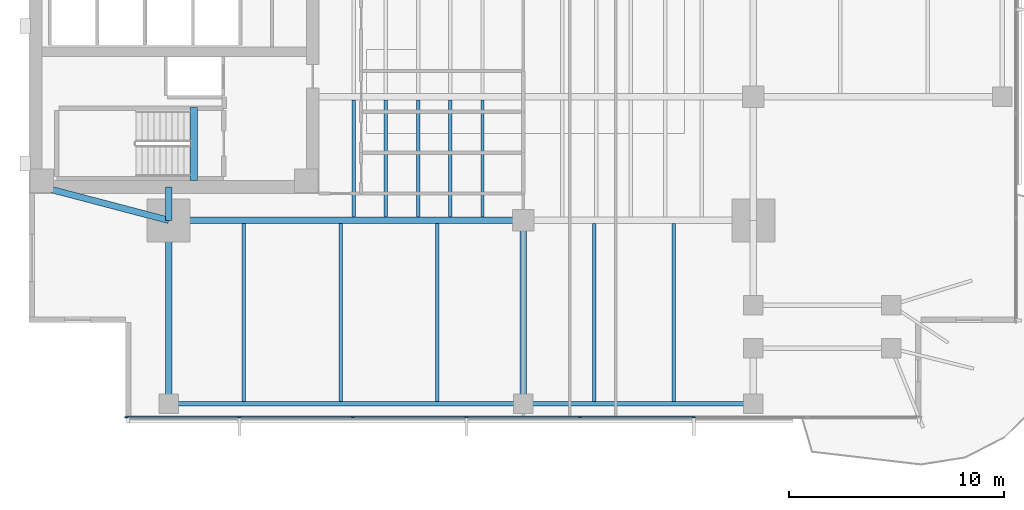
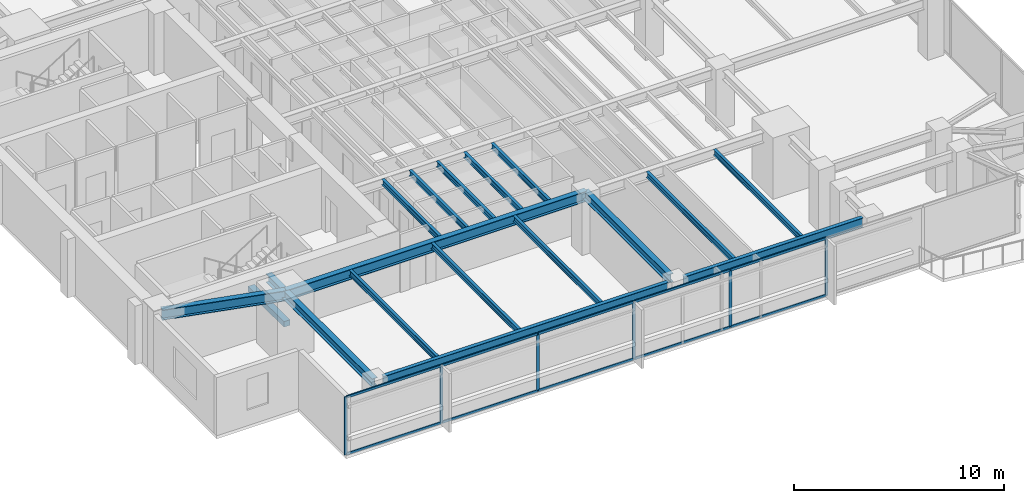
# One storey, part 2 of 14: 18 beams, 16 members, 1 element without a shape of its own.
"""IFC4 building model written with IfcOpenShell, lengths in metres."""

from ifc_helpers import new_model, si_unit, direction, frame, origin, origin_2d, place, context, subcontext, project, spatial, rectangle, i_section, extrude, material, layer, layer_set, material_profile, profile_set, type_object, element, aggregate, save


model = new_model("IFC4")

# Units and contexts
model_context = context("Model", 3, precision=1e-05, world=origin(), true_north=direction((0.0, 1.0)))
body_context = subcontext(model_context, "Body", "Model", "MODEL_VIEW")
ifc_project = project(units=[si_unit("LENGTHUNIT", "METRE"), si_unit("AREAUNIT", "SQUARE_METRE"), si_unit("VOLUMEUNIT", "CUBIC_METRE"), si_unit("PLANEANGLEUNIT", "RADIAN"), si_unit("MASSUNIT", "GRAM", prefix="KILO")], contexts=[model_context])

# Site, building, storey
site_placement = place(None, origin())
site = spatial("IfcSite", under=ifc_project, at=site_placement, CompositionType="ELEMENT")
building_placement = place(site_placement, origin())
building = spatial("IfcBuilding", under=site, at=building_placement, Name="Kinhvarn Gate Tower", CompositionType="ELEMENT")
storey_placement = place(building_placement, frame((0.0, 0.0, 159.050048828125)))
storey = spatial("IfcBuildingStorey", under=building, at=storey_placement, Name="L42", CompositionType="ELEMENT", Elevation=159.050048828125)

# Beam
ifc_material_1 = material(Name="Concrete C50/60", Category="concrete")
ifc_material_profile_1 = material_profile(ifc_material_1, rectangle(XDim=0.340087890625, YDim=0.320068359375, at=origin_2d()), Name="RC 340x320")
ifc_profile_set_1 = profile_set([ifc_material_profile_1], Name="Concrete C50/60")
beam_type_1 = type_object("IfcBeamType", Name="BM-LND-500", PredefinedType="BEAM", material=ifc_profile_set_1)
beam_1_placement = place(storey_placement, frame((12.1650390625, 14.60009765625, -0.16015625), z_axis=(0.0, 1.0, 0.0), x_axis=(-1.0, 0.0, 0.0)))
element("IfcBeam", 1, at=beam_1_placement, inside=storey, type_object=beam_type_1, Name="Stair ST1 Landing Nosing Beam (L42)", PredefinedType="BEAM", context=body_context, shape_type="SweptSolid", body=[
    extrude(rectangle(XDim=0.340087890625, YDim=0.320068359375, at=origin_2d()), origin(), (0.0, 0.0, 1.0), 3.39990234375),
])

# Curtain wall, members
ifc_material_2 = material(Name="Anodised aluminium AW-6063", Category="aluminium")
ifc_layer = layer(ifc_material_2, 0.179931640625)
ifc_layer_set = layer_set([ifc_layer], Name="Anodised aluminium AW-6063")
curtain_wall_type = type_object("IfcCurtainWallType", Name="CW-SYS-3", PredefinedType="NOTDEFINED", material=ifc_layer_set)
curtain_wall_placement = place(storey_placement, origin())
curtain_wall = element("IfcCurtainWall", 2, at=curtain_wall_placement, inside=storey, type_object=curtain_wall_type, Name="Curtain Wall CW3 (L42)", PredefinedType="NOTDEFINED")
ifc_material_profile_2 = material_profile(ifc_material_2, rectangle(XDim=0.06494140625, YDim=0.159912109375, at=origin_2d()), Name="ALU 65x160")
ifc_profile_set_2 = profile_set([ifc_material_profile_2], Name="Anodised aluminium AW-6063")
member_type_1 = type_object("IfcMemberType", Name="CW-MUL-160", PredefinedType="MULLION", material=ifc_profile_set_2)
member_1_placement = place(storey_placement, frame((9.032470703125, 3.590087890625, 0.0), z_axis=(0.0, 0.0, 1.0), x_axis=(0.0, 1.0, 0.0)))
member_1 = element("IfcMember", 3, at=member_1_placement, type_object=member_type_1, Name="CW3 mullion 1", PredefinedType="MULLION", context=body_context, shape_type="SweptSolid", body=[
    extrude(rectangle(XDim=0.06494140625, YDim=0.159912109375, at=origin_2d()), origin(), (0.0, 0.0, 1.0), 3.369873046875),
])
member_2_placement = place(storey_placement, frame((14.28564453125, 3.590087890625, 0.0), z_axis=(0.0, 0.0, 1.0), x_axis=(0.0, 1.0, 0.0)))
member_2 = element("IfcMember", 4, at=member_2_placement, type_object=member_type_1, Name="CW3 mullion 2", PredefinedType="MULLION", context=body_context, shape_type="SweptSolid", body=[
    extrude(rectangle(XDim=0.06494140625, YDim=0.159912109375, at=origin_2d()), origin(), (0.0, 0.0, 1.0), 3.369873046875),
])
member_3_placement = place(storey_placement, frame((19.571533203125, 3.590087890625, 0.0), z_axis=(0.0, 0.0, 1.0), x_axis=(0.0, 1.0, 0.0)))
member_3 = element("IfcMember", 5, at=member_3_placement, type_object=member_type_1, Name="CW3 mullion 3", PredefinedType="MULLION", context=body_context, shape_type="SweptSolid", body=[
    extrude(rectangle(XDim=0.06494140625, YDim=0.159912109375, at=origin_2d()), origin(), (0.0, 0.0, 1.0), 3.369873046875),
])
member_4_placement = place(storey_placement, frame((24.857177734375, 3.590087890625, 0.0), z_axis=(0.0, 0.0, 1.0), x_axis=(0.0, 1.0, 0.0)))
member_4 = element("IfcMember", 6, at=member_4_placement, type_object=member_type_1, Name="CW3 mullion 4", PredefinedType="MULLION", context=body_context, shape_type="SweptSolid", body=[
    extrude(rectangle(XDim=0.06494140625, YDim=0.159912109375, at=origin_2d()), origin(), (0.0, 0.0, 1.0), 3.369873046875),
])
member_5_placement = place(storey_placement, frame((30.142822265625, 3.590087890625, 0.0), z_axis=(0.0, 0.0, 1.0), x_axis=(0.0, 1.0, 0.0)))
member_5 = element("IfcMember", 7, at=member_5_placement, type_object=member_type_1, Name="CW3 mullion 5", PredefinedType="MULLION", context=body_context, shape_type="SweptSolid", body=[
    extrude(rectangle(XDim=0.06494140625, YDim=0.159912109375, at=origin_2d()), origin(), (0.0, 0.0, 1.0), 3.369873046875),
])
member_6_placement = place(storey_placement, frame((35.428466796875, 3.590087890625, 0.0), z_axis=(0.0, 0.0, 1.0), x_axis=(0.0, 1.0, 0.0)))
member_6 = element("IfcMember", 8, at=member_6_placement, type_object=member_type_1, Name="CW3 mullion 6", PredefinedType="MULLION", context=body_context, shape_type="SweptSolid", body=[
    extrude(rectangle(XDim=0.06494140625, YDim=0.159912109375, at=origin_2d()), origin(), (0.0, 0.0, 1.0), 3.369873046875),
])
ifc_material_profile_3 = material_profile(ifc_material_2, rectangle(XDim=0.070068359375, YDim=0.139892578125, at=origin_2d()), Name="ALU 70x140")
ifc_profile_set_3 = profile_set([ifc_material_profile_3], Name="Anodised aluminium AW-6063")
member_type_2 = type_object("IfcMemberType", Name="CW-TRN-140", PredefinedType="USERDEFINED", material=ifc_profile_set_3)
member_7_placement = place(storey_placement, frame((9.06494140625, 3.590087890625, 0.034912109375), z_axis=(1.0, 0.0, 0.0), x_axis=(0.0, 1.0, 0.0)))
member_7 = element("IfcMember", 9, at=member_7_placement, type_object=member_type_2, Name="CW3 transom 1.1", ObjectType="TRANSOM", PredefinedType="USERDEFINED", context=body_context, shape_type="SweptSolid", body=[
    extrude(rectangle(XDim=0.070068359375, YDim=0.139892578125, at=origin_2d()), origin(), (0.0, 0.0, 1.0), 5.188232421875),
])
member_8_placement = place(storey_placement, frame((9.06494140625, 3.590087890625, 3.3349609375), z_axis=(1.0, 0.0, 0.0), x_axis=(0.0, 1.0, 0.0)))
member_8 = element("IfcMember", 10, at=member_8_placement, type_object=member_type_2, Name="CW3 transom 1.2", ObjectType="TRANSOM", PredefinedType="USERDEFINED", context=body_context, shape_type="SweptSolid", body=[
    extrude(rectangle(XDim=0.070068359375, YDim=0.139892578125, at=origin_2d()), origin(), (0.0, 0.0, 1.0), 5.188232421875),
])
member_9_placement = place(storey_placement, frame((14.318115234375, 3.590087890625, 0.034912109375), z_axis=(1.0, 0.0, 0.0), x_axis=(0.0, 1.0, 0.0)))
member_9 = element("IfcMember", 11, at=member_9_placement, type_object=member_type_2, Name="CW3 transom 2.1", ObjectType="TRANSOM", PredefinedType="USERDEFINED", context=body_context, shape_type="SweptSolid", body=[
    extrude(rectangle(XDim=0.070068359375, YDim=0.139892578125, at=origin_2d()), origin(), (0.0, 0.0, 1.0), 5.220703125),
])
member_10_placement = place(storey_placement, frame((14.318115234375, 3.590087890625, 3.3349609375), z_axis=(1.0, 0.0, 0.0), x_axis=(0.0, 1.0, 0.0)))
member_10 = element("IfcMember", 12, at=member_10_placement, type_object=member_type_2, Name="CW3 transom 2.2", ObjectType="TRANSOM", PredefinedType="USERDEFINED", context=body_context, shape_type="SweptSolid", body=[
    extrude(rectangle(XDim=0.070068359375, YDim=0.139892578125, at=origin_2d()), origin(), (0.0, 0.0, 1.0), 5.220703125),
])
member_11_placement = place(storey_placement, frame((19.60400390625, 3.590087890625, 0.034912109375), z_axis=(1.0, 0.0, 0.0), x_axis=(0.0, 1.0, 0.0)))
member_11 = element("IfcMember", 13, at=member_11_placement, type_object=member_type_2, Name="CW3 transom 3.1", ObjectType="TRANSOM", PredefinedType="USERDEFINED", context=body_context, shape_type="SweptSolid", body=[
    extrude(rectangle(XDim=0.070068359375, YDim=0.139892578125, at=origin_2d()), origin(), (0.0, 0.0, 1.0), 5.220703125),
])
member_12_placement = place(storey_placement, frame((19.60400390625, 3.590087890625, 3.3349609375), z_axis=(1.0, 0.0, 0.0), x_axis=(0.0, 1.0, 0.0)))
member_12 = element("IfcMember", 14, at=member_12_placement, type_object=member_type_2, Name="CW3 transom 3.2", ObjectType="TRANSOM", PredefinedType="USERDEFINED", context=body_context, shape_type="SweptSolid", body=[
    extrude(rectangle(XDim=0.070068359375, YDim=0.139892578125, at=origin_2d()), origin(), (0.0, 0.0, 1.0), 5.220703125),
])
member_13_placement = place(storey_placement, frame((24.8896484375, 3.590087890625, 0.034912109375), z_axis=(1.0, 0.0, 0.0), x_axis=(0.0, 1.0, 0.0)))
member_13 = element("IfcMember", 15, at=member_13_placement, type_object=member_type_2, Name="CW3 transom 4.1", ObjectType="TRANSOM", PredefinedType="USERDEFINED", context=body_context, shape_type="SweptSolid", body=[
    extrude(rectangle(XDim=0.070068359375, YDim=0.139892578125, at=origin_2d()), origin(), (0.0, 0.0, 1.0), 5.220703125),
])
member_14_placement = place(storey_placement, frame((24.8896484375, 3.590087890625, 3.3349609375), z_axis=(1.0, 0.0, 0.0), x_axis=(0.0, 1.0, 0.0)))
member_14 = element("IfcMember", 16, at=member_14_placement, type_object=member_type_2, Name="CW3 transom 4.2", ObjectType="TRANSOM", PredefinedType="USERDEFINED", context=body_context, shape_type="SweptSolid", body=[
    extrude(rectangle(XDim=0.070068359375, YDim=0.139892578125, at=origin_2d()), origin(), (0.0, 0.0, 1.0), 5.220703125),
])
member_15_placement = place(storey_placement, frame((30.17529296875, 3.590087890625, 0.034912109375), z_axis=(1.0, 0.0, 0.0), x_axis=(0.0, 1.0, 0.0)))
member_15 = element("IfcMember", 17, at=member_15_placement, type_object=member_type_2, Name="CW3 transom 5.1", ObjectType="TRANSOM", PredefinedType="USERDEFINED", context=body_context, shape_type="SweptSolid", body=[
    extrude(rectangle(XDim=0.070068359375, YDim=0.139892578125, at=origin_2d()), origin(), (0.0, 0.0, 1.0), 5.220703125),
])
member_16_placement = place(storey_placement, frame((30.17529296875, 3.590087890625, 3.3349609375), z_axis=(1.0, 0.0, 0.0), x_axis=(0.0, 1.0, 0.0)))
member_16 = element("IfcMember", 18, at=member_16_placement, type_object=member_type_2, Name="CW3 transom 5.2", ObjectType="TRANSOM", PredefinedType="USERDEFINED", context=body_context, shape_type="SweptSolid", body=[
    extrude(rectangle(XDim=0.070068359375, YDim=0.139892578125, at=origin_2d()), origin(), (0.0, 0.0, 1.0), 5.220703125),
])
aggregate(curtain_wall, [member_1, member_2, member_3, member_4, member_5, member_6, member_7, member_8, member_9, member_10, member_11, member_12, member_13, member_14, member_15, member_16])

# Beams
ifc_material_3 = material(Name="Steel S355", Category="steel")
ifc_material_profile_4 = material_profile(ifc_material_3, i_section(OverallWidth=0.300048828125, OverallDepth=0.5, WebThickness=0.014404296875, FlangeThickness=0.028076171875, at=origin_2d()), Name="HEB 500")
ifc_profile_set_4 = profile_set([ifc_material_profile_4], Name="Steel S355")
beam_type_2 = type_object("IfcBeamType", Name="STL-HEB500", PredefinedType="BEAM", material=ifc_profile_set_4)
beam_2_placement = place(storey_placement, frame((11.0, 4.219970703125, 3.119873046875), z_axis=(0.0, 1.0, 0.0), x_axis=(-1.0, 0.0, 0.0)))
element("IfcBeam", 19, at=beam_2_placement, inside=storey, type_object=beam_type_2, Name="Floor Beam PG-14 (L42 MCW-S)", PredefinedType="BEAM", context=body_context, shape_type="SweptSolid", body=[
    extrude(i_section(OverallWidth=0.300048828125, OverallDepth=0.5, WebThickness=0.014404296875, FlangeThickness=0.028076171875, at=origin_2d()), origin(), (0.0, 0.0, 1.0), 8.530029296875),
])
beam_3_placement = place(storey_placement, frame((11.0, 12.75, 3.119873046875), z_axis=(0.0, 1.0, 0.0), x_axis=(-1.0, 0.0, 0.0)))
element("IfcBeam", 20, at=beam_3_placement, inside=storey, type_object=beam_type_2, Name="Floor Beam PG-14 (L42 MCW-CS)", PredefinedType="BEAM", context=body_context, shape_type="SweptSolid", body=[
    extrude(i_section(OverallWidth=0.300048828125, OverallDepth=0.5, WebThickness=0.014404296875, FlangeThickness=0.028076171875, at=origin_2d()), origin(), (0.0, 0.0, 1.0), 1.550048828125),
])
beam_4_placement = place(storey_placement, frame((27.5, 4.655029296875, 3.119873046875), z_axis=(0.0, 1.0, 0.0), x_axis=(-1.0, 0.0, 0.0)))
element("IfcBeam", 21, at=beam_4_placement, inside=storey, type_object=beam_type_2, Name="Floor Beam PG-14 (L42 SP27-S-TIE)", PredefinedType="BEAM", context=body_context, shape_type="SweptSolid", body=[
    extrude(i_section(OverallWidth=0.300048828125, OverallDepth=0.5, WebThickness=0.014404296875, FlangeThickness=0.028076171875, at=origin_2d()), origin(), (0.0, 0.0, 1.0), 8.094970703125),
])
ifc_material_profile_5 = material_profile(ifc_material_3, i_section(OverallWidth=0.300048828125, OverallDepth=0.60009765625, WebThickness=0.015380859375, FlangeThickness=0.030029296875, at=origin_2d()), Name="HEB 600")
ifc_profile_set_5 = profile_set([ifc_material_profile_5], Name="Steel S355")
beam_type_3 = type_object("IfcBeamType", Name="STL-HEB600", PredefinedType="BEAM", material=ifc_profile_set_5)
beam_5_placement = place(storey_placement, frame((11.0, 12.75, 3.070068359375), z_axis=(1.0, 0.0, 0.0), x_axis=(0.0, 1.0, 0.0)))
element("IfcBeam", 22, at=beam_5_placement, inside=storey, type_object=beam_type_3, Name="Floor Beam PG-16 (L42 MG-S1)", PredefinedType="BEAM", context=body_context, shape_type="SweptSolid", body=[
    extrude(i_section(OverallWidth=0.300048828125, OverallDepth=0.60009765625, WebThickness=0.015380859375, FlangeThickness=0.030029296875, at=origin_2d()), origin(), (0.0, 0.0, 1.0), 16.5),
])
beam_6_placement = place(storey_placement, frame((5.10009765625, 14.300048828125, 3.070068359375), z_axis=(0.967177623957, -0.254101246979, 0.0), x_axis=(0.254101246979, 0.967177623957, 0.0)))
element("IfcBeam", 23, at=beam_6_placement, inside=storey, type_object=beam_type_3, Name="Floor Beam PG-16 (L42 MG-SW-DIAG)", PredefinedType="BEAM", context=body_context, shape_type="SweptSolid", body=[
    extrude(i_section(OverallWidth=0.300048828125, OverallDepth=0.60009765625, WebThickness=0.015380859375, FlangeThickness=0.030029296875, at=origin_2d()), origin(), (0.0, 0.0, 1.0), 6.10009765625),
])
ifc_material_profile_6 = material_profile(ifc_material_3, i_section(OverallWidth=0.159912109375, OverallDepth=0.330078125, WebThickness=0.007568359375, FlangeThickness=0.011474609375, at=origin_2d()), Name="IPE 330")
ifc_profile_set_6 = profile_set([ifc_material_profile_6], Name="Steel S355")
beam_type_4 = type_object("IfcBeamType", Name="STL-IPE330", PredefinedType="JOIST", material=ifc_profile_set_6)
for number, where, z_axis, x_axis, name in (
    (24, (19.60009765625, 12.89990234375, 3.204833984375), (0.0, 1.0, 0.0), (-1.0, 0.0, 0.0), "Floor Joist SB-03 (L42 JC-X196-0)"),
    (25, (21.10009765625, 12.89990234375, 3.204833984375), (0.0, 1.0, 0.0), (-1.0, 0.0, 0.0), "Floor Joist SB-03 (L42 JC-X211-0)"),
    (26, (22.60009765625, 12.89990234375, 3.204833984375), (0.0, 1.0, 0.0), (-1.0, 0.0, 0.0), "Floor Joist SB-03 (L42 JC-X226-0)"),
    (27, (24.10009765625, 12.89990234375, 3.204833984375), (0.0, 1.0, 0.0), (-1.0, 0.0, 0.0), "Floor Joist SB-03 (L42 JC-X241-0)"),
    (28, (25.60009765625, 12.89990234375, 3.204833984375), (0.0, 1.0, 0.0), (-1.0, 0.0, 0.0), "Floor Joist SB-03 (L42 JC-X256-0)"),
):
    element("IfcBeam", number, at=place(storey_placement, frame(where, z_axis=z_axis, x_axis=x_axis)), inside=storey, type_object=beam_type_4, Name=name, PredefinedType="JOIST", context=body_context, shape_type="SweptSolid", body=[
        extrude(i_section(OverallWidth=0.159912109375, OverallDepth=0.330078125, WebThickness=0.007568359375, FlangeThickness=0.011474609375, at=origin_2d()), origin(), (0.0, 0.0, 1.0), 5.4501953125),
    ])
for number, where, z_axis, x_axis, name in (
    (29, (14.5, 4.324951171875, 3.204833984375), (0.0, 1.0, 0.0), (-1.0, 0.0, 0.0), "Floor Joist SB-03 (L42 JS-X145)"),
    (30, (19.0, 4.324951171875, 3.204833984375), (0.0, 1.0, 0.0), (-1.0, 0.0, 0.0), "Floor Joist SB-03 (L42 JS-X190)"),
    (31, (23.5, 4.324951171875, 3.204833984375), (0.0, 1.0, 0.0), (-1.0, 0.0, 0.0), "Floor Joist SB-03 (L42 JS-X235)"),
    (32, (30.800048828125, 4.324951171875, 3.204833984375), (0.0, 1.0, 0.0), (-1.0, 0.0, 0.0), "Floor Joist SB-03 (L42 JS-X308)"),
    (33, (34.5, 4.324951171875, 3.204833984375), (0.0, 1.0, 0.0), (-1.0, 0.0, 0.0), "Floor Joist SB-03 (L42 JS-X345)"),
):
    element("IfcBeam", number, at=place(storey_placement, frame(where, z_axis=z_axis, x_axis=x_axis)), inside=storey, type_object=beam_type_4, Name=name, PredefinedType="JOIST", context=body_context, shape_type="SweptSolid", body=[
        extrude(i_section(OverallWidth=0.159912109375, OverallDepth=0.330078125, WebThickness=0.007568359375, FlangeThickness=0.011474609375, at=origin_2d()), origin(), (0.0, 0.0, 1.0), 8.275146484375),
    ])
ifc_material_profile_7 = material_profile(ifc_material_3, i_section(OverallWidth=0.2099609375, OverallDepth=0.550048828125, WebThickness=0.010986328125, FlangeThickness=0.01708984375, at=origin_2d()), Name="IPE 550")
ifc_profile_set_7 = profile_set([ifc_material_profile_7], Name="Steel S355")
beam_type_5 = type_object("IfcBeamType", Name="STL-IPE550", PredefinedType="SPANDREL", material=ifc_profile_set_7)
beam_7_placement = place(storey_placement, frame((11.43505859375, 4.219970703125, 3.094970703125), z_axis=(1.0, 0.0, 0.0), x_axis=(0.0, 1.0, 0.0)))
element("IfcBeam", 34, at=beam_7_placement, inside=storey, type_object=beam_type_5, Name="Floor Spandrel SB-08 (L42 SP-S1)", PredefinedType="SPANDREL", context=body_context, shape_type="SweptSolid", body=[
    extrude(i_section(OverallWidth=0.2099609375, OverallDepth=0.550048828125, WebThickness=0.010986328125, FlangeThickness=0.01708984375, at=origin_2d()), origin(), (0.0, 0.0, 1.0), 15.6298828125),
])
beam_8_placement = place(storey_placement, frame((27.93505859375, 4.219970703125, 3.094970703125), z_axis=(1.0, 0.0, 0.0), x_axis=(0.0, 1.0, 0.0)))
element("IfcBeam", 35, at=beam_8_placement, inside=storey, type_object=beam_type_5, Name="Floor Spandrel SB-08 (L42 SP-S2)", PredefinedType="SPANDREL", context=body_context, shape_type="SweptSolid", body=[
    extrude(i_section(OverallWidth=0.2099609375, OverallDepth=0.550048828125, WebThickness=0.010986328125, FlangeThickness=0.01708984375, at=origin_2d()), origin(), (0.0, 0.0, 1.0), 9.829833984375),
])

save(model, "model.ifc")
